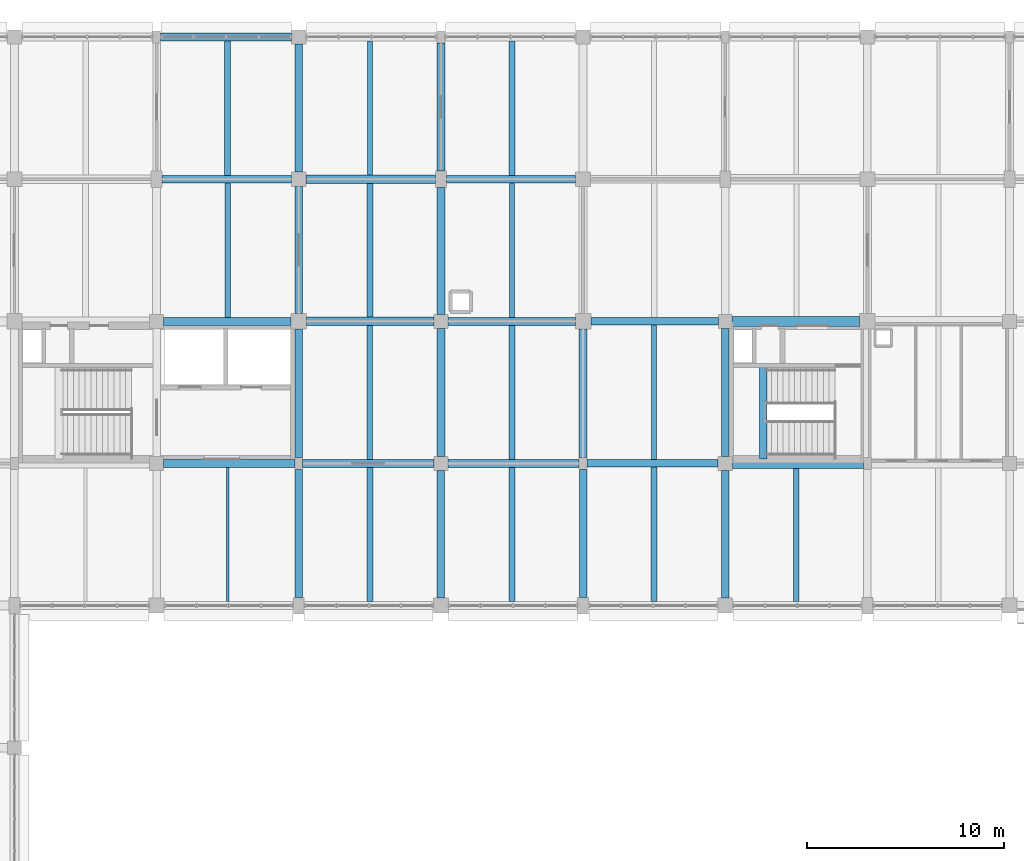
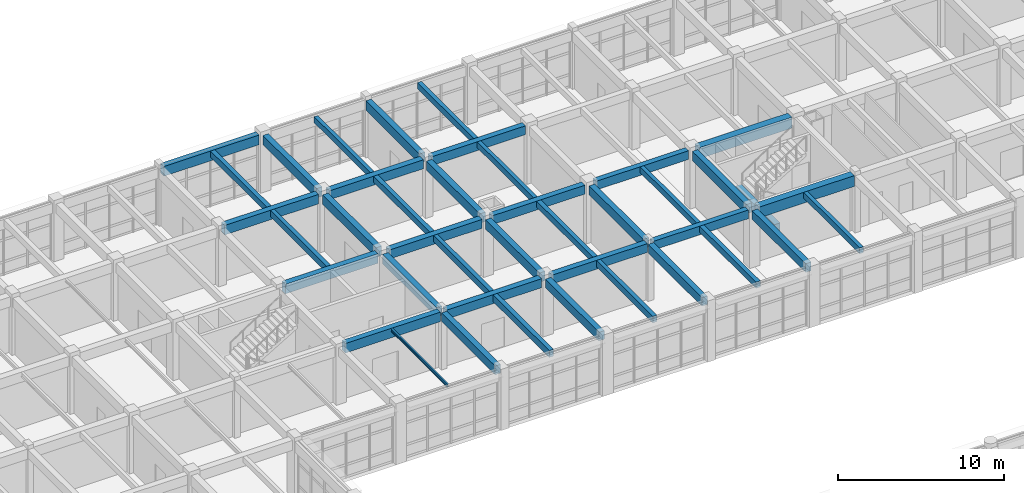
# One storey, part 67 of 171: 41 beams.
"""IFC4 building model written with IfcOpenShell, lengths in metres."""

from ifc_helpers import new_model, si_unit, direction, frame, origin, origin_2d, place, context, subcontext, project, spatial, rectangle, i_section, extrude, material, material_profile, profile_set, type_object, element, save


model = new_model("IFC4")

# Units and contexts
model_context = context("Model", 3, precision=1e-05, world=origin(), true_north=direction((0.0, 1.0)))
body_context = subcontext(model_context, "Body", "Model", "MODEL_VIEW")
ifc_project = project(units=[si_unit("LENGTHUNIT", "METRE"), si_unit("AREAUNIT", "SQUARE_METRE"), si_unit("VOLUMEUNIT", "CUBIC_METRE"), si_unit("PLANEANGLEUNIT", "RADIAN"), si_unit("MASSUNIT", "GRAM", prefix="KILO")], contexts=[model_context])

# Site, building, storey
site_placement = place(None, origin())
site = spatial("IfcSite", under=ifc_project, at=site_placement, CompositionType="ELEMENT")
building_placement = place(site_placement, origin())
building = spatial("IfcBuilding", under=site, at=building_placement, Name="Thalmaran Polytechnic", CompositionType="ELEMENT")
storey_placement = place(building_placement, frame((0.0, 0.0, 5.39990234375)))
storey = spatial("IfcBuildingStorey", under=building, at=storey_placement, Name="L01", CompositionType="ELEMENT", Elevation=5.39990234375)

# Beams
ifc_material_1 = material(Name="Concrete C40/50", Category="concrete")
ifc_material_profile_1 = material_profile(ifc_material_1, rectangle(XDim=0.5, YDim=0.800048828125, at=origin_2d()), Name="RC 500x800")
ifc_profile_set_1 = profile_set([ifc_material_profile_1], Name="Concrete C40/50")
beam_type_1 = type_object("IfcBeamType", Name="BM-RC02", PredefinedType="BEAM", material=ifc_profile_set_1)
beam_1_placement = place(storey_placement, frame((57.9599609375, 100.800048828125, 3.81005859375), z_axis=(1.0, 0.0, 0.0), x_axis=(0.0, 1.0, 0.0)))
element("IfcBeam", 1, at=beam_1_placement, inside=storey, type_object=beam_type_1, Name="Grid Beam B02 L01 X(8,14)", PredefinedType="BEAM", context=body_context, shape_type="SweptSolid", body=[
    extrude(rectangle(XDim=0.5, YDim=0.800048828125, at=origin_2d()), origin(), (0.0, 0.0, 1.0), 6.64013671875),
])
beam_2_placement = place(storey_placement, frame((57.949951171875, 108.0, 3.81005859375), z_axis=(1.0, 0.0, 0.0), x_axis=(0.0, 1.0, 0.0)))
element("IfcBeam", 2, at=beam_2_placement, inside=storey, type_object=beam_type_1, Name="Grid Beam B02 L01 X(8,15)", PredefinedType="BEAM", context=body_context, shape_type="SweptSolid", body=[
    extrude(rectangle(XDim=0.5, YDim=0.800048828125, at=origin_2d()), origin(), (0.0, 0.0, 1.0), 6.4599609375),
])
ifc_material_profile_2 = material_profile(ifc_material_1, rectangle(XDim=0.39990234375, YDim=0.699951171875, at=origin_2d()), Name="RC 400x700")
ifc_profile_set_2 = profile_set([ifc_material_profile_2], Name="Concrete C40/50")
beam_type_2 = type_object("IfcBeamType", Name="BM-RC05", PredefinedType="BEAM", material=ifc_profile_set_2)
beam_3_placement = place(storey_placement, frame((29.159912109375, 100.800048828125, 3.860107421875), z_axis=(1.0, 0.0, 0.0), x_axis=(0.0, 1.0, 0.0)))
element("IfcBeam", 3, at=beam_3_placement, inside=storey, type_object=beam_type_2, Name="Grid Beam B05 L01 X(4,14)", PredefinedType="BEAM", context=body_context, shape_type="SweptSolid", body=[
    extrude(rectangle(XDim=0.39990234375, YDim=0.699951171875, at=origin_2d()), origin(), (0.0, 0.0, 1.0), 6.64013671875),
])
beam_4_placement = place(storey_placement, frame((29.14990234375, 108.0, 3.860107421875), z_axis=(1.0, 0.0, 0.0), x_axis=(0.0, 1.0, 0.0)))
element("IfcBeam", 4, at=beam_4_placement, inside=storey, type_object=beam_type_2, Name="Grid Beam B05 L01 X(4,15)", PredefinedType="BEAM", context=body_context, shape_type="SweptSolid", body=[
    extrude(rectangle(XDim=0.39990234375, YDim=0.699951171875, at=origin_2d()), origin(), (0.0, 0.0, 1.0), 6.460205078125),
])
beam_5_placement = place(storey_placement, frame((29.074951171875, 115.199951171875, 3.860107421875), z_axis=(1.0, 0.0, 0.0), x_axis=(0.0, 1.0, 0.0)))
element("IfcBeam", 5, at=beam_5_placement, inside=storey, type_object=beam_type_2, Name="Grid Beam B05 L01 X(4,16)", PredefinedType="BEAM", context=body_context, shape_type="SweptSolid", body=[
    extrude(rectangle(XDim=0.39990234375, YDim=0.699951171875, at=origin_2d()), origin(), (0.0, 0.0, 1.0), 6.550048828125),
])
ifc_material_profile_3 = material_profile(ifc_material_1, rectangle(XDim=0.39990234375, YDim=0.64990234375, at=origin_2d()), Name="RC 400x650")
ifc_profile_set_3 = profile_set([ifc_material_profile_3], Name="Concrete C40/50")
beam_type_3 = type_object("IfcBeamType", Name="BM-RC06", PredefinedType="BEAM", material=ifc_profile_set_3)
beam_6_placement = place(storey_placement, frame((43.56005859375, 100.800048828125, 3.885009765625), z_axis=(1.0, 0.0, 0.0), x_axis=(0.0, 1.0, 0.0)))
element("IfcBeam", 6, at=beam_6_placement, inside=storey, type_object=beam_type_3, Name="Grid Beam B06 L01 X(6,14)", PredefinedType="BEAM", context=body_context, shape_type="SweptSolid", body=[
    extrude(rectangle(XDim=0.39990234375, YDim=0.64990234375, at=origin_2d()), origin(), (0.0, 0.0, 1.0), 6.639892578125),
])
beam_7_placement = place(storey_placement, frame((43.550048828125, 108.0, 3.885009765625), z_axis=(1.0, 0.0, 0.0), x_axis=(0.0, 1.0, 0.0)))
element("IfcBeam", 7, at=beam_7_placement, inside=storey, type_object=beam_type_3, Name="Grid Beam B06 L01 X(6,15)", PredefinedType="BEAM", context=body_context, shape_type="SweptSolid", body=[
    extrude(rectangle(XDim=0.39990234375, YDim=0.64990234375, at=origin_2d()), origin(), (0.0, 0.0, 1.0), 6.4599609375),
])
beam_8_placement = place(storey_placement, frame((43.47509765625, 115.199951171875, 3.885009765625), z_axis=(1.0, 0.0, 0.0), x_axis=(0.0, 1.0, 0.0)))
element("IfcBeam", 8, at=beam_8_placement, inside=storey, type_object=beam_type_3, Name="Grid Beam B06 L01 X(6,16)", PredefinedType="BEAM", context=body_context, shape_type="SweptSolid", body=[
    extrude(rectangle(XDim=0.39990234375, YDim=0.64990234375, at=origin_2d()), origin(), (0.0, 0.0, 1.0), 6.5498046875),
])
ifc_material_profile_4 = material_profile(ifc_material_1, rectangle(XDim=0.389892578125, YDim=0.68505859375, at=origin_2d()), Name="RC 390x685")
ifc_profile_set_4 = profile_set([ifc_material_profile_4], Name="Concrete C40/50")
beam_type_4 = type_object("IfcBeamType", Name="BM-RC08", PredefinedType="BEAM", material=ifc_profile_set_4)
beam_9_placement = place(storey_placement, frame((36.0, 101.10009765625, 3.86767578125), z_axis=(0.0, 1.0, 0.0), x_axis=(-1.0, 0.0, 0.0)))
element("IfcBeam", 9, at=beam_9_placement, inside=storey, type_object=beam_type_4, Name="Grid Beam B08 L01 Y(5,14)", PredefinedType="BEAM", context=body_context, shape_type="SweptSolid", body=[
    extrude(rectangle(XDim=0.389892578125, YDim=0.68505859375, at=origin_2d()), origin(), (0.0, 0.0, 1.0), 6.510009765625),
])
beam_10_placement = place(storey_placement, frame((43.199951171875, 101.159912109375, 3.86767578125), z_axis=(0.0, 1.0, 0.0), x_axis=(-1.0, 0.0, 0.0)))
element("IfcBeam", 10, at=beam_10_placement, inside=storey, type_object=beam_type_4, Name="Grid Beam B08 L01 Y(6,14)", PredefinedType="BEAM", context=body_context, shape_type="SweptSolid", body=[
    extrude(rectangle(XDim=0.389892578125, YDim=0.68505859375, at=origin_2d()), origin(), (0.0, 0.0, 1.0), 6.489990234375),
])
beam_11_placement = place(storey_placement, frame((50.39990234375, 101.10009765625, 3.86767578125), z_axis=(0.0, 1.0, 0.0), x_axis=(-1.0, 0.0, 0.0)))
element("IfcBeam", 11, at=beam_11_placement, inside=storey, type_object=beam_type_4, Name="Grid Beam B08 L01 Y(7,14)", PredefinedType="BEAM", context=body_context, shape_type="SweptSolid", body=[
    extrude(rectangle(XDim=0.389892578125, YDim=0.68505859375, at=origin_2d()), origin(), (0.0, 0.0, 1.0), 6.510009765625),
])
beam_12_placement = place(storey_placement, frame((57.60009765625, 101.159912109375, 3.86767578125), z_axis=(0.0, 1.0, 0.0), x_axis=(-1.0, 0.0, 0.0)))
element("IfcBeam", 12, at=beam_12_placement, inside=storey, type_object=beam_type_4, Name="Grid Beam B08 L01 Y(8,14)", PredefinedType="BEAM", context=body_context, shape_type="SweptSolid", body=[
    extrude(rectangle(XDim=0.389892578125, YDim=0.68505859375, at=origin_2d()), origin(), (0.0, 0.0, 1.0), 6.489990234375),
])
ifc_material_profile_5 = material_profile(ifc_material_1, rectangle(XDim=0.389892578125, YDim=0.68994140625, at=origin_2d()), Name="RC 390x690")
ifc_profile_set_5 = profile_set([ifc_material_profile_5], Name="Concrete C40/50")
beam_type_5 = type_object("IfcBeamType", Name="BM-RC09", PredefinedType="BEAM", material=ifc_profile_set_5)
beam_13_placement = place(storey_placement, frame((36.0, 115.574951171875, 3.864990234375), z_axis=(0.0, 1.0, 0.0), x_axis=(-1.0, 0.0, 0.0)))
element("IfcBeam", 13, at=beam_13_placement, inside=storey, type_object=beam_type_5, Name="Grid Beam B09 L01 Y(5,16)", PredefinedType="BEAM", context=body_context, shape_type="SweptSolid", body=[
    extrude(rectangle(XDim=0.389892578125, YDim=0.68994140625, at=origin_2d()), origin(), (0.0, 0.0, 1.0), 6.465087890625),
])
beam_14_placement = place(storey_placement, frame((43.199951171875, 115.625, 3.864990234375), z_axis=(0.0, 1.0, 0.0), x_axis=(-1.0, 0.0, 0.0)))
element("IfcBeam", 14, at=beam_14_placement, inside=storey, type_object=beam_type_5, Name="Grid Beam B09 L01 Y(6,16)", PredefinedType="BEAM", context=body_context, shape_type="SweptSolid", body=[
    extrude(rectangle(XDim=0.389892578125, YDim=0.68994140625, at=origin_2d()), origin(), (0.0, 0.0, 1.0), 6.47509765625),
])
ifc_material_profile_6 = material_profile(ifc_material_1, rectangle(XDim=0.389892578125, YDim=0.695068359375, at=origin_2d()), Name="RC 390x695")
ifc_profile_set_6 = profile_set([ifc_material_profile_6], Name="Concrete C40/50")
beam_type_6 = type_object("IfcBeamType", Name="BM-RC10", PredefinedType="BEAM", material=ifc_profile_set_6)
beam_15_placement = place(storey_placement, frame((59.52001953125, 101.0400390625, 1.7900390625), z_axis=(0.0, 1.0, 0.0), x_axis=(-1.0, 0.0, 0.0)))
element("IfcBeam", 15, at=beam_15_placement, inside=storey, type_object=beam_type_6, Name="ST6 L01 Half-Landing Trimmer Beam", PredefinedType="BEAM", context=body_context, shape_type="SweptSolid", body=[
    extrude(rectangle(XDim=0.389892578125, YDim=0.695068359375, at=origin_2d()), origin(), (0.0, 0.0, 1.0), 4.699951171875),
])
ifc_material_profile_7 = material_profile(ifc_material_1, rectangle(XDim=0.300048828125, YDim=0.5, at=origin_2d()), Name="RC 300x500")
ifc_profile_set_7 = profile_set([ifc_material_profile_7], Name="Concrete C40/50")
beam_type_7 = type_object("IfcBeamType", Name="BM-RC11", PredefinedType="JOIST", material=ifc_profile_set_7)
beam_16_placement = place(storey_placement, frame((39.60009765625, 93.800048828125, 3.960205078125), z_axis=(0.0, 1.0, 0.0), x_axis=(-1.0, 0.0, 0.0)))
element("IfcBeam", 16, at=beam_16_placement, inside=storey, type_object=beam_type_7, Name="Secondary Floor Rib RB01 L01 (5,13)", PredefinedType="JOIST", context=body_context, shape_type="SweptSolid", body=[
    extrude(rectangle(XDim=0.300048828125, YDim=0.5, at=origin_2d()), origin(), (0.0, 0.0, 1.0), 6.7900390625),
])
ifc_material_profile_8 = material_profile(ifc_material_1, rectangle(XDim=0.300048828125, YDim=0.449951171875, at=origin_2d()), Name="RC 300x450")
ifc_profile_set_8 = profile_set([ifc_material_profile_8], Name="Concrete C40/50")
beam_type_8 = type_object("IfcBeamType", Name="BM-RC12", PredefinedType="JOIST", material=ifc_profile_set_8)
beam_17_placement = place(storey_placement, frame((32.39990234375, 115.39990234375, 3.985107421875), z_axis=(0.0, 1.0, 0.0), x_axis=(-1.0, 0.0, 0.0)))
element("IfcBeam", 17, at=beam_17_placement, inside=storey, type_object=beam_type_8, Name="Secondary Floor Rib RB02 L01 (4,16)", PredefinedType="JOIST", context=body_context, shape_type="SweptSolid", body=[
    extrude(rectangle(XDim=0.300048828125, YDim=0.449951171875, at=origin_2d()), origin(), (0.0, 0.0, 1.0), 6.800048828125),
])
beam_18_placement = place(storey_placement, frame((39.60009765625, 108.2099609375, 3.985107421875), z_axis=(0.0, 1.0, 0.0), x_axis=(-1.0, 0.0, 0.0)))
element("IfcBeam", 18, at=beam_18_placement, inside=storey, type_object=beam_type_8, Name="Secondary Floor Rib RB02 L01 (5,15)", PredefinedType="JOIST", context=body_context, shape_type="SweptSolid", body=[
    extrude(rectangle(XDim=0.300048828125, YDim=0.449951171875, at=origin_2d()), origin(), (0.0, 0.0, 1.0), 6.780029296875),
])
beam_19_placement = place(storey_placement, frame((46.800048828125, 101.0, 3.985107421875), z_axis=(0.0, 1.0, 0.0), x_axis=(-1.0, 0.0, 0.0)))
element("IfcBeam", 19, at=beam_19_placement, inside=storey, type_object=beam_type_8, Name="Secondary Floor Rib RB02 L01 (6,14)", PredefinedType="JOIST", context=body_context, shape_type="SweptSolid", body=[
    extrude(rectangle(XDim=0.300048828125, YDim=0.449951171875, at=origin_2d()), origin(), (0.0, 0.0, 1.0), 6.800048828125),
])
beam_20_placement = place(storey_placement, frame((54.0, 93.800048828125, 3.985107421875), z_axis=(0.0, 1.0, 0.0), x_axis=(-1.0, 0.0, 0.0)))
element("IfcBeam", 20, at=beam_20_placement, inside=storey, type_object=beam_type_8, Name="Secondary Floor Rib RB02 L01 (7,13)", PredefinedType="JOIST", context=body_context, shape_type="SweptSolid", body=[
    extrude(rectangle(XDim=0.300048828125, YDim=0.449951171875, at=origin_2d()), origin(), (0.0, 0.0, 1.0), 6.81005859375),
])
ifc_material_profile_9 = material_profile(ifc_material_1, rectangle(XDim=0.280029296875, YDim=0.449951171875, at=origin_2d()), Name="RC 280x450")
ifc_profile_set_9 = profile_set([ifc_material_profile_9], Name="Concrete C40/50")
beam_type_9 = type_object("IfcBeamType", Name="BM-RC13", PredefinedType="JOIST", material=ifc_profile_set_9)
beam_21_placement = place(storey_placement, frame((46.800048828125, 115.39990234375, 3.985107421875), z_axis=(0.0, 1.0, 0.0), x_axis=(-1.0, 0.0, 0.0)))
element("IfcBeam", 21, at=beam_21_placement, inside=storey, type_object=beam_type_9, Name="Secondary Floor Rib RB03 L01 (6,16)", PredefinedType="JOIST", context=body_context, shape_type="SweptSolid", body=[
    extrude(rectangle(XDim=0.280029296875, YDim=0.449951171875, at=origin_2d()), origin(), (0.0, 0.0, 1.0), 6.800048828125),
])
ifc_material_2 = material(Name="Steel S355", Category="steel")
ifc_material_profile_10 = material_profile(ifc_material_2, i_section(OverallWidth=0.110107421875, OverallDepth=0.219970703125, WebThickness=0.005859375, FlangeThickness=0.00927734375, at=origin_2d()), Name="IPE 220")
ifc_profile_set_10 = profile_set([ifc_material_profile_10], Name="Steel S355")
beam_type_10 = type_object("IfcBeamType", Name="BM-SJ04", PredefinedType="JOIST", material=ifc_profile_set_10)
beam_22_placement = place(storey_placement, frame((32.39990234375, 93.800048828125, 4.10009765625), z_axis=(0.0, 1.0, 0.0), x_axis=(-1.0, 0.0, 0.0)))
element("IfcBeam", 22, at=beam_22_placement, inside=storey, type_object=beam_type_10, Name="Secondary Floor Rib SJ04 L01 (4,13)", PredefinedType="JOIST", context=body_context, shape_type="SweptSolid", body=[
    extrude(i_section(OverallWidth=0.110107421875, OverallDepth=0.219970703125, WebThickness=0.005859375, FlangeThickness=0.00927734375, at=origin_2d()), origin(), (0.0, 0.0, 1.0), 6.800048828125),
])
ifc_material_profile_11 = material_profile(ifc_material_1, rectangle(XDim=0.39990234375, YDim=0.719970703125, at=origin_2d()), Name="RC 400x720")
ifc_profile_set_11 = profile_set([ifc_material_profile_11], Name="Concrete C40/50")
beam_type_11 = type_object("IfcBeamType", Name="BM-SP01", PredefinedType="SPANDREL", material=ifc_profile_set_11)
beam_23_placement = place(storey_placement, frame((29.0, 122.39990234375, 3.85009765625), z_axis=(1.0, 0.0, 0.0), x_axis=(0.0, 1.0, 0.0)))
element("IfcBeam", 23, at=beam_23_placement, inside=storey, type_object=beam_type_11, Name="Grid Beam SP01 L01 X(4,17)", PredefinedType="SPANDREL", context=body_context, shape_type="SweptSolid", body=[
    extrude(rectangle(XDim=0.39990234375, YDim=0.719970703125, at=origin_2d()), origin(), (0.0, 0.0, 1.0), 6.639892578125),
])
ifc_material_profile_12 = material_profile(ifc_material_1, rectangle(XDim=0.419921875, YDim=0.659912109375, at=origin_2d()), Name="RC 420x660")
ifc_profile_set_12 = profile_set([ifc_material_profile_12], Name="Concrete C40/50")
beam_type_12 = type_object("IfcBeamType", Name="BM-ZB04", PredefinedType="BEAM", material=ifc_profile_set_12)
beam_24_placement = place(storey_placement, frame((36.199951171875, 100.800048828125, 3.880126953125), z_axis=(1.0, 0.0, 0.0), x_axis=(0.0, 1.0, 0.0)))
element("IfcBeam", 24, at=beam_24_placement, inside=storey, type_object=beam_type_12, Name="Grid Beam ZB04 L01 X(5,14)", PredefinedType="BEAM", context=body_context, shape_type="SweptSolid", body=[
    extrude(rectangle(XDim=0.419921875, YDim=0.659912109375, at=origin_2d()), origin(), (0.0, 0.0, 1.0), 6.64013671875),
])
beam_25_placement = place(storey_placement, frame((36.389892578125, 108.0, 3.880126953125), z_axis=(1.0, 0.0, 0.0), x_axis=(0.0, 1.0, 0.0)))
element("IfcBeam", 25, at=beam_25_placement, inside=storey, type_object=beam_type_12, Name="Grid Beam ZB04 L01 X(5,15)", PredefinedType="BEAM", context=body_context, shape_type="SweptSolid", body=[
    extrude(rectangle(XDim=0.419921875, YDim=0.659912109375, at=origin_2d()), origin(), (0.0, 0.0, 1.0), 6.460205078125),
])
beam_26_placement = place(storey_placement, frame((36.375, 115.199951171875, 3.880126953125), z_axis=(1.0, 0.0, 0.0), x_axis=(0.0, 1.0, 0.0)))
element("IfcBeam", 26, at=beam_26_placement, inside=storey, type_object=beam_type_12, Name="Grid Beam ZB04 L01 X(5,16)", PredefinedType="BEAM", context=body_context, shape_type="SweptSolid", body=[
    extrude(rectangle(XDim=0.419921875, YDim=0.659912109375, at=origin_2d()), origin(), (0.0, 0.0, 1.0), 6.550048828125),
])
ifc_material_profile_13 = material_profile(ifc_material_1, rectangle(XDim=0.3798828125, YDim=0.639892578125, at=origin_2d()), Name="RC 380x640")
ifc_profile_set_13 = profile_set([ifc_material_profile_13], Name="Concrete C40/50")
beam_type_13 = type_object("IfcBeamType", Name="BM-ZB05", PredefinedType="BEAM", material=ifc_profile_set_13)
beam_27_placement = place(storey_placement, frame((50.60009765625, 100.800048828125, 3.89013671875), z_axis=(1.0, 0.0, 0.0), x_axis=(0.0, 1.0, 0.0)))
element("IfcBeam", 27, at=beam_27_placement, inside=storey, type_object=beam_type_13, Name="Grid Beam ZB05 L01 X(7,14)", PredefinedType="BEAM", context=body_context, shape_type="SweptSolid", body=[
    extrude(rectangle(XDim=0.3798828125, YDim=0.639892578125, at=origin_2d()), origin(), (0.0, 0.0, 1.0), 6.639892578125),
])
beam_28_placement = place(storey_placement, frame((50.7900390625, 108.0, 3.89013671875), z_axis=(1.0, 0.0, 0.0), x_axis=(0.0, 1.0, 0.0)))
element("IfcBeam", 28, at=beam_28_placement, inside=storey, type_object=beam_type_13, Name="Grid Beam ZB05 L01 X(7,15)", PredefinedType="BEAM", context=body_context, shape_type="SweptSolid", body=[
    extrude(rectangle(XDim=0.3798828125, YDim=0.639892578125, at=origin_2d()), origin(), (0.0, 0.0, 1.0), 6.4599609375),
])
ifc_material_profile_14 = material_profile(ifc_material_1, rectangle(XDim=0.3798828125, YDim=0.635009765625, at=origin_2d()), Name="RC 380x635")
ifc_profile_set_14 = profile_set([ifc_material_profile_14], Name="Concrete C40/50")
beam_type_14 = type_object("IfcBeamType", Name="BM-ZB06", PredefinedType="BEAM", material=ifc_profile_set_14)
beam_29_placement = place(storey_placement, frame((36.0, 94.02490234375, 3.892578125), z_axis=(0.0, 1.0, 0.0), x_axis=(-1.0, 0.0, 0.0)))
element("IfcBeam", 29, at=beam_29_placement, inside=storey, type_object=beam_type_14, Name="Grid Beam ZB06 L01 Y(5,13)", PredefinedType="BEAM", context=body_context, shape_type="SweptSolid", body=[
    extrude(rectangle(XDim=0.3798828125, YDim=0.635009765625, at=origin_2d()), origin(), (0.0, 0.0, 1.0), 6.47509765625),
])
beam_30_placement = place(storey_placement, frame((43.199951171875, 93.97509765625, 3.892578125), z_axis=(0.0, 1.0, 0.0), x_axis=(-1.0, 0.0, 0.0)))
element("IfcBeam", 30, at=beam_30_placement, inside=storey, type_object=beam_type_14, Name="Grid Beam ZB06 L01 Y(6,13)", PredefinedType="BEAM", context=body_context, shape_type="SweptSolid", body=[
    extrude(rectangle(XDim=0.3798828125, YDim=0.635009765625, at=origin_2d()), origin(), (0.0, 0.0, 1.0), 6.46484375),
])
beam_31_placement = place(storey_placement, frame((50.39990234375, 94.02490234375, 3.892578125), z_axis=(0.0, 1.0, 0.0), x_axis=(-1.0, 0.0, 0.0)))
element("IfcBeam", 31, at=beam_31_placement, inside=storey, type_object=beam_type_14, Name="Grid Beam ZB06 L01 Y(7,13)", PredefinedType="BEAM", context=body_context, shape_type="SweptSolid", body=[
    extrude(rectangle(XDim=0.3798828125, YDim=0.635009765625, at=origin_2d()), origin(), (0.0, 0.0, 1.0), 6.47509765625),
])
beam_32_placement = place(storey_placement, frame((57.60009765625, 93.97509765625, 3.892578125), z_axis=(0.0, 1.0, 0.0), x_axis=(-1.0, 0.0, 0.0)))
element("IfcBeam", 32, at=beam_32_placement, inside=storey, type_object=beam_type_14, Name="Grid Beam ZB06 L01 Y(8,13)", PredefinedType="BEAM", context=body_context, shape_type="SweptSolid", body=[
    extrude(rectangle(XDim=0.3798828125, YDim=0.635009765625, at=origin_2d()), origin(), (0.0, 0.0, 1.0), 6.46484375),
])
ifc_material_profile_15 = material_profile(ifc_material_1, rectangle(XDim=0.39990234375, YDim=0.68505859375, at=origin_2d()), Name="RC 400x685")
ifc_profile_set_15 = profile_set([ifc_material_profile_15], Name="Concrete C40/50")
beam_type_15 = type_object("IfcBeamType", Name="BM-ZB07", PredefinedType="BEAM", material=ifc_profile_set_15)
beam_33_placement = place(storey_placement, frame((36.0, 108.389892578125, 3.86767578125), z_axis=(0.0, 1.0, 0.0), x_axis=(-1.0, 0.0, 0.0)))
element("IfcBeam", 33, at=beam_33_placement, inside=storey, type_object=beam_type_15, Name="Grid Beam ZB07 L01 Y(5,15)", PredefinedType="BEAM", context=body_context, shape_type="SweptSolid", body=[
    extrude(rectangle(XDim=0.39990234375, YDim=0.68505859375, at=origin_2d()), origin(), (0.0, 0.0, 1.0), 6.43505859375),
])
beam_34_placement = place(storey_placement, frame((43.199951171875, 108.35009765625, 3.86767578125), z_axis=(0.0, 1.0, 0.0), x_axis=(-1.0, 0.0, 0.0)))
element("IfcBeam", 34, at=beam_34_placement, inside=storey, type_object=beam_type_15, Name="Grid Beam ZB07 L01 Y(6,15)", PredefinedType="BEAM", context=body_context, shape_type="SweptSolid", body=[
    extrude(rectangle(XDim=0.39990234375, YDim=0.68505859375, at=origin_2d()), origin(), (0.0, 0.0, 1.0), 6.4248046875),
])
ifc_material_profile_16 = material_profile(ifc_material_1, rectangle(XDim=0.280029296875, YDim=0.47998046875, at=origin_2d()), Name="RC 280x480")
ifc_profile_set_16 = profile_set([ifc_material_profile_16], Name="Concrete C40/50")
beam_type_16 = type_object("IfcBeamType", Name="BM-ZJ01", PredefinedType="JOIST", material=ifc_profile_set_16)
beam_35_placement = place(storey_placement, frame((32.39990234375, 108.199951171875, 3.97021484375), z_axis=(0.0, 1.0, 0.0), x_axis=(-1.0, 0.0, 0.0)))
element("IfcBeam", 35, at=beam_35_placement, inside=storey, type_object=beam_type_16, Name="Secondary Floor Rib ZJ01 L01 (4,15)", PredefinedType="JOIST", context=body_context, shape_type="SweptSolid", body=[
    extrude(rectangle(XDim=0.280029296875, YDim=0.47998046875, at=origin_2d()), origin(), (0.0, 0.0, 1.0), 6.800048828125),
])
beam_36_placement = place(storey_placement, frame((39.60009765625, 101.010009765625, 3.97021484375), z_axis=(0.0, 1.0, 0.0), x_axis=(-1.0, 0.0, 0.0)))
element("IfcBeam", 36, at=beam_36_placement, inside=storey, type_object=beam_type_16, Name="Secondary Floor Rib ZJ01 L01 (5,14)", PredefinedType="JOIST", context=body_context, shape_type="SweptSolid", body=[
    extrude(rectangle(XDim=0.280029296875, YDim=0.47998046875, at=origin_2d()), origin(), (0.0, 0.0, 1.0), 6.780029296875),
])
beam_37_placement = place(storey_placement, frame((46.800048828125, 93.800048828125, 3.97021484375), z_axis=(0.0, 1.0, 0.0), x_axis=(-1.0, 0.0, 0.0)))
element("IfcBeam", 37, at=beam_37_placement, inside=storey, type_object=beam_type_16, Name="Secondary Floor Rib ZJ01 L01 (6,13)", PredefinedType="JOIST", context=body_context, shape_type="SweptSolid", body=[
    extrude(rectangle(XDim=0.280029296875, YDim=0.47998046875, at=origin_2d()), origin(), (0.0, 0.0, 1.0), 6.800048828125),
])
ifc_material_profile_17 = material_profile(ifc_material_1, rectangle(XDim=0.260009765625, YDim=0.43994140625, at=origin_2d()), Name="RC 260x440")
ifc_profile_set_17 = profile_set([ifc_material_profile_17], Name="Concrete C40/50")
beam_type_17 = type_object("IfcBeamType", Name="BM-ZJ02", PredefinedType="JOIST", material=ifc_profile_set_17)
beam_38_placement = place(storey_placement, frame((39.60009765625, 115.409912109375, 3.989990234375), z_axis=(0.0, 1.0, 0.0), x_axis=(-1.0, 0.0, 0.0)))
element("IfcBeam", 38, at=beam_38_placement, inside=storey, type_object=beam_type_17, Name="Secondary Floor Rib ZJ02 L01 (5,16)", PredefinedType="JOIST", context=body_context, shape_type="SweptSolid", body=[
    extrude(rectangle(XDim=0.260009765625, YDim=0.43994140625, at=origin_2d()), origin(), (0.0, 0.0, 1.0), 6.7900390625),
])
beam_39_placement = place(storey_placement, frame((46.800048828125, 108.199951171875, 3.989990234375), z_axis=(0.0, 1.0, 0.0), x_axis=(-1.0, 0.0, 0.0)))
element("IfcBeam", 39, at=beam_39_placement, inside=storey, type_object=beam_type_17, Name="Secondary Floor Rib ZJ02 L01 (6,15)", PredefinedType="JOIST", context=body_context, shape_type="SweptSolid", body=[
    extrude(rectangle(XDim=0.260009765625, YDim=0.43994140625, at=origin_2d()), origin(), (0.0, 0.0, 1.0), 6.800048828125),
])
beam_40_placement = place(storey_placement, frame((54.0, 100.989990234375, 3.989990234375), z_axis=(0.0, 1.0, 0.0), x_axis=(-1.0, 0.0, 0.0)))
element("IfcBeam", 40, at=beam_40_placement, inside=storey, type_object=beam_type_17, Name="Secondary Floor Rib ZJ02 L01 (7,14)", PredefinedType="JOIST", context=body_context, shape_type="SweptSolid", body=[
    extrude(rectangle(XDim=0.260009765625, YDim=0.43994140625, at=origin_2d()), origin(), (0.0, 0.0, 1.0), 6.820068359375),
])
beam_41_placement = place(storey_placement, frame((61.199951171875, 93.800048828125, 3.989990234375), z_axis=(0.0, 1.0, 0.0), x_axis=(-1.0, 0.0, 0.0)))
element("IfcBeam", 41, at=beam_41_placement, inside=storey, type_object=beam_type_17, Name="Secondary Floor Rib ZJ02 L01 (8,13)", PredefinedType="JOIST", context=body_context, shape_type="SweptSolid", body=[
    extrude(rectangle(XDim=0.260009765625, YDim=0.43994140625, at=origin_2d()), origin(), (0.0, 0.0, 1.0), 6.75),
])

save(model, "model.ifc")
